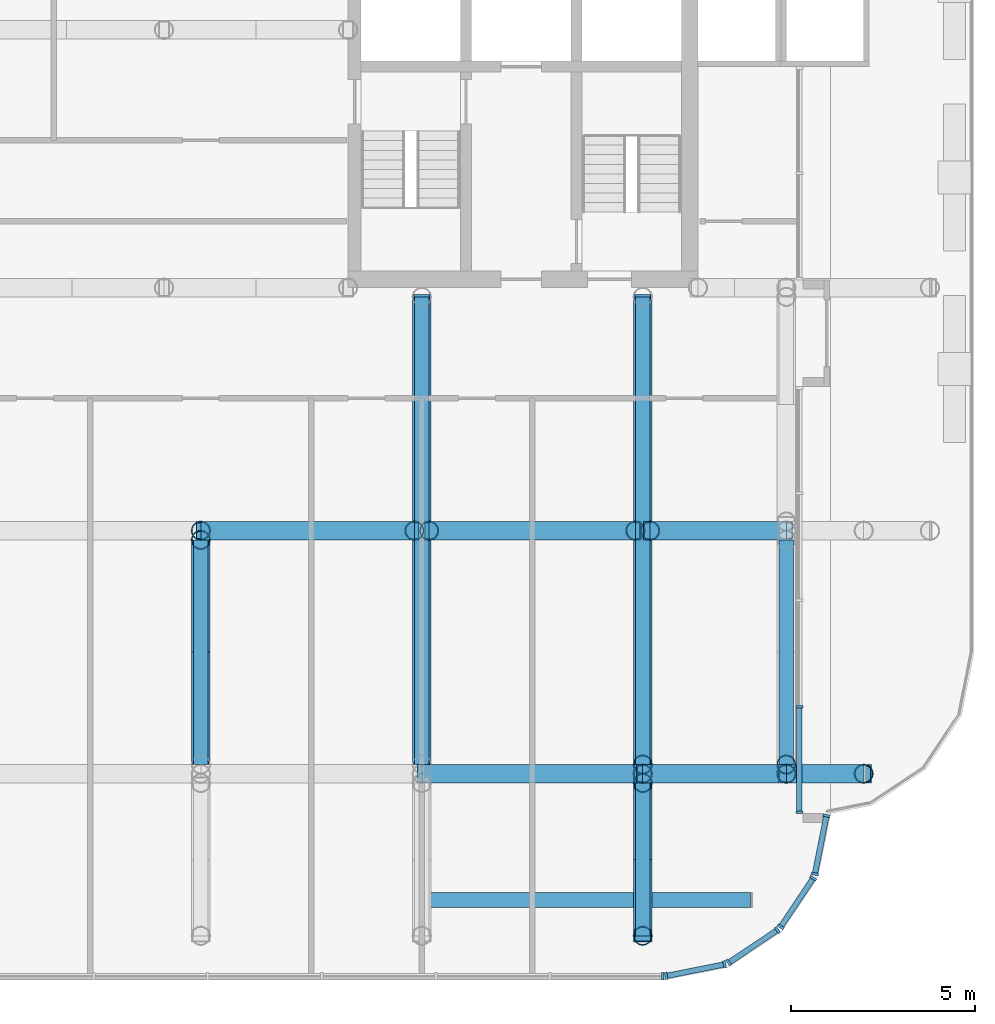
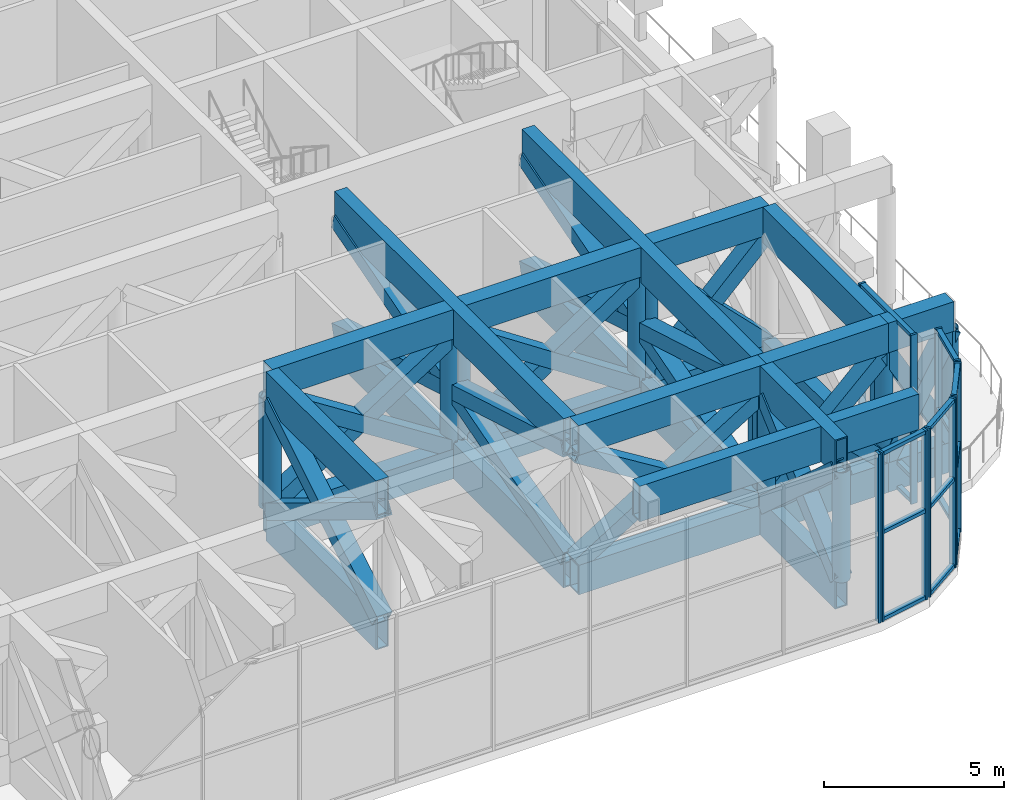
# One storey, part 5 of 21: 59 members, 23 beams, 6 elements without a shape of their own.
"""IFC4 building model written with IfcOpenShell, lengths in metres."""

from ifc_helpers import new_model, si_unit, direction, frame, origin, origin_2d, place, context, subcontext, project, spatial, rectangle, hollow_rectangle, hollow_circle, extrude, material, layer, layer_set, material_profile, profile_set, type_object, element, aggregate, save


model = new_model("IFC4")

# Units and contexts
model_context = context("Model", 3, precision=1e-05, world=origin(), true_north=direction((0.0, 1.0)))
body_context = subcontext(model_context, "Body", "Model", "MODEL_VIEW")
ifc_project = project(units=[si_unit("LENGTHUNIT", "METRE"), si_unit("AREAUNIT", "SQUARE_METRE"), si_unit("VOLUMEUNIT", "CUBIC_METRE"), si_unit("PLANEANGLEUNIT", "RADIAN"), si_unit("MASSUNIT", "GRAM", prefix="KILO")], contexts=[model_context])

# Site, building, storey
site_placement = place(None, origin())
site = spatial("IfcSite", under=ifc_project, at=site_placement, CompositionType="ELEMENT")
building_placement = place(site_placement, origin())
building = spatial("IfcBuilding", under=site, at=building_placement, Name="Torana Hotel and Residences", CompositionType="ELEMENT")
storey_placement = place(building_placement, frame((0.0, 0.0, 246.60009765625)))
storey = spatial("IfcBuildingStorey", under=building, at=storey_placement, Name="L65", CompositionType="ELEMENT", Elevation=246.60009765625)

# Curtain wall, member
ifc_material_1 = material(Name="Dark anodised aluminium", Category="aluminium")
ifc_layer = layer(ifc_material_1, 0.199951171875)
ifc_layer_set = layer_set([ifc_layer], Name="CW2 SKY LOBBY UNITISED CURTAIN WALL")
curtain_wall_type = type_object("IfcCurtainWallType", Name="CW2 SKY LOBBY UNITISED CURTAIN WALL", PredefinedType="NOTDEFINED", material=ifc_layer_set)
curtain_wall_1_placement = place(storey_placement, origin())
curtain_wall_1 = element("IfcCurtainWall", 1, at=curtain_wall_1_placement, inside=storey, type_object=curtain_wall_type, Name="Curtain wall CW2 L65 e0.9-1", PredefinedType="NOTDEFINED")
ifc_material_2 = material(Name="Dark anodised aluminium", Category="aluminium")
ifc_material_profile_1 = material_profile(ifc_material_2, rectangle(XDim=0.199951171875, YDim=0.070068359375, at=origin_2d()), Name="CW2 MULLION 70x200")
ifc_profile_set_1 = profile_set([ifc_material_profile_1], Name="Dark anodised aluminium")
member_type_1 = type_object("IfcMemberType", Name="CW2 MULLION 70x200", PredefinedType="MULLION", material=ifc_profile_set_1)
member_1_placement = place(storey_placement, frame((18.540283203125, -33.699951171875, 0.0), z_axis=(0.0, 0.0, 1.0), x_axis=(0.0, 1.0, 0.0)))
member_1 = element("IfcMember", 2, at=member_1_placement, type_object=member_type_1, Name="CW2 mullion 13", PredefinedType="MULLION", context=body_context, shape_type="SweptSolid", body=[
    extrude(rectangle(XDim=0.199951171875, YDim=0.070068359375, at=origin_2d()), origin(), (0.0, 0.0, 1.0), 5.719970703125),
])
aggregate(curtain_wall_1, [member_1])

# Curtain wall, members
curtain_wall_2_placement = place(storey_placement, origin())
curtain_wall_2 = element("IfcCurtainWall", 3, at=curtain_wall_2_placement, inside=storey, type_object=curtain_wall_type, Name="Curtain wall CW2 L65 e0.10-1", PredefinedType="NOTDEFINED")
member_2_placement = place(storey_placement, frame((18.638916015625, -33.690185546875, 0.0), z_axis=(0.0, 0.0, 1.0), x_axis=(-0.195063848566, 0.980790545928, 0.0)))
member_2 = element("IfcMember", 4, at=member_2_placement, type_object=member_type_1, Name="CW2 mullion 1", PredefinedType="MULLION", context=body_context, shape_type="SweptSolid", body=[
    extrude(rectangle(XDim=0.199951171875, YDim=0.070068359375, at=origin_2d()), origin(), (0.0, 0.0, 1.0), 5.719970703125),
])
member_3_placement = place(storey_placement, frame((20.219482421875, -33.3759765625, 0.0), z_axis=(0.0, 0.0, 1.0), x_axis=(-0.195063848566, 0.980790545928, 0.0)))
member_3 = element("IfcMember", 5, at=member_3_placement, type_object=member_type_1, Name="CW2 mullion 2", PredefinedType="MULLION", context=body_context, shape_type="SweptSolid", body=[
    extrude(rectangle(XDim=0.199951171875, YDim=0.070068359375, at=origin_2d()), origin(), (0.0, 0.0, 1.0), 5.719970703125),
])

curtain_wall_3_placement = place(storey_placement, origin())
curtain_wall_3 = element("IfcCurtainWall", 6, at=curtain_wall_3_placement, inside=storey, type_object=curtain_wall_type, Name="Curtain wall CW2 L65 e0.11-1", PredefinedType="NOTDEFINED")
member_4_placement = place(storey_placement, frame((20.3369140625, -33.3271484375, 0.0), z_axis=(0.0, 0.0, 1.0), x_axis=(-0.555563713278, 0.831473968618, 0.0)))
member_4 = element("IfcMember", 7, at=member_4_placement, type_object=member_type_1, Name="CW2 mullion 1", PredefinedType="MULLION", context=body_context, shape_type="SweptSolid", body=[
    extrude(rectangle(XDim=0.199951171875, YDim=0.070068359375, at=origin_2d()), origin(), (0.0, 0.0, 1.0), 5.719970703125),
])
member_5_placement = place(storey_placement, frame((21.656005859375, -32.446044921875, 0.0), z_axis=(0.0, 0.0, 1.0), x_axis=(-0.555563713278, 0.831473968618, 0.0)))
member_5 = element("IfcMember", 8, at=member_5_placement, type_object=member_type_1, Name="CW2 mullion 2", PredefinedType="MULLION", context=body_context, shape_type="SweptSolid", body=[
    extrude(rectangle(XDim=0.199951171875, YDim=0.070068359375, at=origin_2d()), origin(), (0.0, 0.0, 1.0), 5.719970703125),
])

curtain_wall_4_placement = place(storey_placement, origin())
curtain_wall_4 = element("IfcCurtainWall", 9, at=curtain_wall_4_placement, inside=storey, type_object=curtain_wall_type, Name="Curtain wall CW2 L65 e0.12-1", PredefinedType="NOTDEFINED")
member_6_placement = place(storey_placement, frame((21.745849609375, -32.35595703125, 0.0), z_axis=(0.0, 0.0, 1.0), x_axis=(-0.831473968618, 0.555563713278, 0.0)))
member_6 = element("IfcMember", 10, at=member_6_placement, type_object=member_type_1, Name="CW2 mullion 1", PredefinedType="MULLION", context=body_context, shape_type="SweptSolid", body=[
    extrude(rectangle(XDim=0.199951171875, YDim=0.070068359375, at=origin_2d()), origin(), (0.0, 0.0, 1.0), 5.719970703125),
])
member_7_placement = place(storey_placement, frame((22.627197265625, -31.037109375, 0.0), z_axis=(0.0, 0.0, 1.0), x_axis=(-0.831473968618, 0.555563713278, 0.0)))
member_7 = element("IfcMember", 11, at=member_7_placement, type_object=member_type_1, Name="CW2 mullion 2", PredefinedType="MULLION", context=body_context, shape_type="SweptSolid", body=[
    extrude(rectangle(XDim=0.199951171875, YDim=0.070068359375, at=origin_2d()), origin(), (0.0, 0.0, 1.0), 5.719970703125),
])

curtain_wall_5_placement = place(storey_placement, origin())
curtain_wall_5 = element("IfcCurtainWall", 12, at=curtain_wall_5_placement, inside=storey, type_object=curtain_wall_type, Name="Curtain wall CW2 L65 e0.13-1", PredefinedType="NOTDEFINED")
member_8_placement = place(storey_placement, frame((22.676025390625, -30.91943359375, 0.0), z_axis=(0.0, 0.0, 1.0), x_axis=(-0.980790545928, 0.195063848566, 0.0)))
member_8 = element("IfcMember", 13, at=member_8_placement, type_object=member_type_1, Name="CW2 mullion 1", PredefinedType="MULLION", context=body_context, shape_type="SweptSolid", body=[
    extrude(rectangle(XDim=0.199951171875, YDim=0.070068359375, at=origin_2d()), origin(), (0.0, 0.0, 1.0), 5.719970703125),
])
member_9_placement = place(storey_placement, frame((22.990234375, -29.3388671875, 0.0), z_axis=(0.0, 0.0, 1.0), x_axis=(-0.980790545928, 0.195063848566, 0.0)))
member_9 = element("IfcMember", 14, at=member_9_placement, type_object=member_type_1, Name="CW2 mullion 2", PredefinedType="MULLION", context=body_context, shape_type="SweptSolid", body=[
    extrude(rectangle(XDim=0.199951171875, YDim=0.070068359375, at=origin_2d()), origin(), (0.0, 0.0, 1.0), 5.719970703125),
])

curtain_wall_6_placement = place(storey_placement, origin())
curtain_wall_6 = element("IfcCurtainWall", 15, at=curtain_wall_6_placement, inside=storey, type_object=curtain_wall_type, Name="Curtain wall CW2 L65 e0.14-1", PredefinedType="NOTDEFINED")
member_10_placement = place(storey_placement, frame((22.2548828125, -29.240478515625, 0.0), z_axis=(0.0, 0.0, 1.0), x_axis=(-1.0, 0.0, 0.0)))
member_10 = element("IfcMember", 16, at=member_10_placement, type_object=member_type_1, Name="CW2 mullion 1", PredefinedType="MULLION", context=body_context, shape_type="SweptSolid", body=[
    extrude(rectangle(XDim=0.199951171875, YDim=0.070068359375, at=origin_2d()), origin(), (0.0, 0.0, 1.0), 5.719970703125),
])
member_11_placement = place(storey_placement, frame((22.2548828125, -26.37890625, 0.0), z_axis=(0.0, 0.0, 1.0), x_axis=(-1.0, 0.0, 0.0)))
member_11 = element("IfcMember", 17, at=member_11_placement, type_object=member_type_1, Name="CW2 mullion 2", PredefinedType="MULLION", context=body_context, shape_type="SweptSolid", body=[
    extrude(rectangle(XDim=0.199951171875, YDim=0.070068359375, at=origin_2d()), origin(), (0.0, 0.0, 1.0), 5.719970703125),
])

# Member
ifc_material_3 = material(Name="Dark anodised aluminium", Category="aluminium")
ifc_material_profile_2 = material_profile(ifc_material_3, rectangle(XDim=0.14990234375, YDim=0.1201171875, at=origin_2d()), Name="CW2 TRANSOM 150x120")
ifc_profile_set_2 = profile_set([ifc_material_profile_2], Name="Dark anodised aluminium")
member_type_2 = type_object("IfcMemberType", Name="CW2 TRANSOM 150x120", PredefinedType="USERDEFINED", material=ifc_profile_set_2)
member_12_placement = place(storey_placement, frame((18.67333984375, -33.683349609375, 0.059814453125), z_axis=(0.980805441664, 0.194988937127, 0.0), x_axis=(-0.194988937127, 0.980805441664, 0.0)))
member_12 = element("IfcMember", 18, at=member_12_placement, type_object=member_type_2, Name="CW2 transom 1.1", ObjectType="TRANSOM", PredefinedType="USERDEFINED", context=body_context, shape_type="SweptSolid", body=[
    extrude(rectangle(XDim=0.14990234375, YDim=0.1201171875, at=origin_2d()), origin(), (0.0, 0.0, 1.0), 1.541259765625),
])

member_13_placement = place(storey_placement, frame((18.67333984375, -33.683349609375, 3.0), z_axis=(0.980805441664, 0.194988937127, 0.0), x_axis=(-0.194988937127, 0.980805441664, 0.0)))
member_13 = element("IfcMember", 19, at=member_13_placement, type_object=member_type_2, Name="CW2 transom 1.2", ObjectType="TRANSOM", PredefinedType="USERDEFINED", context=body_context, shape_type="SweptSolid", body=[
    extrude(rectangle(XDim=0.14990234375, YDim=0.1201171875, at=origin_2d()), origin(), (0.0, 0.0, 1.0), 1.541259765625),
])

member_14_placement = place(storey_placement, frame((18.67333984375, -33.683349609375, 5.659912109375), z_axis=(0.980805441664, 0.194988937127, 0.0), x_axis=(-0.194988937127, 0.980805441664, 0.0)))
member_14 = element("IfcMember", 20, at=member_14_placement, type_object=member_type_2, Name="CW2 transom 1.3", ObjectType="TRANSOM", PredefinedType="USERDEFINED", context=body_context, shape_type="SweptSolid", body=[
    extrude(rectangle(XDim=0.14990234375, YDim=0.1201171875, at=origin_2d()), origin(), (0.0, 0.0, 1.0), 1.541259765625),
])

aggregate(curtain_wall_2, [member_2, member_3, member_12, member_13, member_14])

member_15_placement = place(storey_placement, frame((20.3662109375, -33.307861328125, 0.059814453125), z_axis=(0.831430525328, 0.555628726357, 0.0), x_axis=(-0.555628726357, 0.831430525328, 0.0)))
member_15 = element("IfcMember", 21, at=member_15_placement, type_object=member_type_2, Name="CW2 transom 1.1", ObjectType="TRANSOM", PredefinedType="USERDEFINED", context=body_context, shape_type="SweptSolid", body=[
    extrude(rectangle(XDim=0.14990234375, YDim=0.1201171875, at=origin_2d()), origin(), (0.0, 0.0, 1.0), 1.516357421875),
])

member_16_placement = place(storey_placement, frame((20.3662109375, -33.307861328125, 3.0), z_axis=(0.831430525328, 0.555628726357, 0.0), x_axis=(-0.555628726357, 0.831430525328, 0.0)))
member_16 = element("IfcMember", 22, at=member_16_placement, type_object=member_type_2, Name="CW2 transom 1.2", ObjectType="TRANSOM", PredefinedType="USERDEFINED", context=body_context, shape_type="SweptSolid", body=[
    extrude(rectangle(XDim=0.14990234375, YDim=0.1201171875, at=origin_2d()), origin(), (0.0, 0.0, 1.0), 1.516357421875),
])

member_17_placement = place(storey_placement, frame((20.3662109375, -33.307861328125, 5.659912109375), z_axis=(0.831430525328, 0.555628726357, 0.0), x_axis=(-0.555628726357, 0.831430525328, 0.0)))
member_17 = element("IfcMember", 23, at=member_17_placement, type_object=member_type_2, Name="CW2 transom 1.3", ObjectType="TRANSOM", PredefinedType="USERDEFINED", context=body_context, shape_type="SweptSolid", body=[
    extrude(rectangle(XDim=0.14990234375, YDim=0.1201171875, at=origin_2d()), origin(), (0.0, 0.0, 1.0), 1.516357421875),
])

aggregate(curtain_wall_3, [member_4, member_5, member_15, member_16, member_17])

member_18_placement = place(storey_placement, frame((21.765380859375, -32.326904296875, 0.059814453125), z_axis=(0.555628726357, 0.831430525328, 0.0), x_axis=(-0.831430525328, 0.555628726357, 0.0)))
member_18 = element("IfcMember", 24, at=member_18_placement, type_object=member_type_2, Name="CW2 transom 1.1", ObjectType="TRANSOM", PredefinedType="USERDEFINED", context=body_context, shape_type="SweptSolid", body=[
    extrude(rectangle(XDim=0.14990234375, YDim=0.1201171875, at=origin_2d()), origin(), (0.0, 0.0, 1.0), 1.516357421875),
])

member_19_placement = place(storey_placement, frame((21.765380859375, -32.326904296875, 3.0), z_axis=(0.555628726357, 0.831430525328, 0.0), x_axis=(-0.831430525328, 0.555628726357, 0.0)))
member_19 = element("IfcMember", 25, at=member_19_placement, type_object=member_type_2, Name="CW2 transom 1.2", ObjectType="TRANSOM", PredefinedType="USERDEFINED", context=body_context, shape_type="SweptSolid", body=[
    extrude(rectangle(XDim=0.14990234375, YDim=0.1201171875, at=origin_2d()), origin(), (0.0, 0.0, 1.0), 1.516357421875),
])

member_20_placement = place(storey_placement, frame((21.765380859375, -32.326904296875, 5.659912109375), z_axis=(0.555628726357, 0.831430525328, 0.0), x_axis=(-0.831430525328, 0.555628726357, 0.0)))
member_20 = element("IfcMember", 26, at=member_20_placement, type_object=member_type_2, Name="CW2 transom 1.3", ObjectType="TRANSOM", PredefinedType="USERDEFINED", context=body_context, shape_type="SweptSolid", body=[
    extrude(rectangle(XDim=0.14990234375, YDim=0.1201171875, at=origin_2d()), origin(), (0.0, 0.0, 1.0), 1.516357421875),
])

aggregate(curtain_wall_4, [member_6, member_7, member_18, member_19, member_20])

member_21_placement = place(storey_placement, frame((22.682861328125, -30.88525390625, 0.059814453125), z_axis=(0.194958648567, 0.980811462692, 0.0), x_axis=(-0.980811462692, 0.194958648567, 0.0)))
member_21 = element("IfcMember", 27, at=member_21_placement, type_object=member_type_2, Name="CW2 transom 1.1", ObjectType="TRANSOM", PredefinedType="USERDEFINED", context=body_context, shape_type="SweptSolid", body=[
    extrude(rectangle(XDim=0.14990234375, YDim=0.1201171875, at=origin_2d()), origin(), (0.0, 0.0, 1.0), 1.54150390625),
])

member_22_placement = place(storey_placement, frame((22.682861328125, -30.88525390625, 3.0), z_axis=(0.194958648567, 0.980811462692, 0.0), x_axis=(-0.980811462692, 0.194958648567, 0.0)))
member_22 = element("IfcMember", 28, at=member_22_placement, type_object=member_type_2, Name="CW2 transom 1.2", ObjectType="TRANSOM", PredefinedType="USERDEFINED", context=body_context, shape_type="SweptSolid", body=[
    extrude(rectangle(XDim=0.14990234375, YDim=0.1201171875, at=origin_2d()), origin(), (0.0, 0.0, 1.0), 1.54150390625),
])

member_23_placement = place(storey_placement, frame((22.682861328125, -30.88525390625, 5.659912109375), z_axis=(0.194958648567, 0.980811462692, 0.0), x_axis=(-0.980811462692, 0.194958648567, 0.0)))
member_23 = element("IfcMember", 29, at=member_23_placement, type_object=member_type_2, Name="CW2 transom 1.3", ObjectType="TRANSOM", PredefinedType="USERDEFINED", context=body_context, shape_type="SweptSolid", body=[
    extrude(rectangle(XDim=0.14990234375, YDim=0.1201171875, at=origin_2d()), origin(), (0.0, 0.0, 1.0), 1.54150390625),
])

aggregate(curtain_wall_5, [member_8, member_9, member_21, member_22, member_23])

member_24_placement = place(storey_placement, frame((22.2548828125, -29.205322265625, 0.059814453125), z_axis=(0.0, 1.0, 0.0), x_axis=(-1.0, 0.0, 0.0)))
member_24 = element("IfcMember", 30, at=member_24_placement, type_object=member_type_2, Name="CW2 transom 1.1", ObjectType="TRANSOM", PredefinedType="USERDEFINED", context=body_context, shape_type="SweptSolid", body=[
    extrude(rectangle(XDim=0.14990234375, YDim=0.1201171875, at=origin_2d()), origin(), (0.0, 0.0, 1.0), 2.79150390625),
])

member_25_placement = place(storey_placement, frame((22.2548828125, -29.205322265625, 0.89990234375), z_axis=(0.0, 1.0, 0.0), x_axis=(-1.0, 0.0, 0.0)))
member_25 = element("IfcMember", 31, at=member_25_placement, type_object=member_type_2, Name="CW2 transom 1.2", ObjectType="TRANSOM", PredefinedType="USERDEFINED", context=body_context, shape_type="SweptSolid", body=[
    extrude(rectangle(XDim=0.14990234375, YDim=0.1201171875, at=origin_2d()), origin(), (0.0, 0.0, 1.0), 2.79150390625),
])

member_26_placement = place(storey_placement, frame((22.2548828125, -29.205322265625, 5.659912109375), z_axis=(0.0, 1.0, 0.0), x_axis=(-1.0, 0.0, 0.0)))
member_26 = element("IfcMember", 32, at=member_26_placement, type_object=member_type_2, Name="CW2 transom 1.3", ObjectType="TRANSOM", PredefinedType="USERDEFINED", context=body_context, shape_type="SweptSolid", body=[
    extrude(rectangle(XDim=0.14990234375, YDim=0.1201171875, at=origin_2d()), origin(), (0.0, 0.0, 1.0), 2.79150390625),
])

aggregate(curtain_wall_6, [member_10, member_11, member_24, member_25, member_26])

# Beams
ifc_material_4 = material(Name="Steel S355", Category="steel")
ifc_material_profile_3 = material_profile(ifc_material_4, hollow_rectangle(XDim=0.5, YDim=1.0, WallThickness=0.050048828125, at=origin_2d()), Name="BOX 1000x500x50")
ifc_profile_set_3 = profile_set([ifc_material_profile_3], Name="Steel S355")
beam_type_1 = type_object("IfcBeamType", Name="STEEL CHORD BOX 1000x500x50", PredefinedType="BEAM", material=ifc_profile_set_3)
for number, where, z_axis, x_axis, name in (
    (33, (12.0, -28.199951171875, 0.5), (1.0, 0.0, 0.0), (0.0, 1.0, 0.0), "Transfer chord L65"),
    (34, (12.0, -28.199951171875, 5.219970703125), (1.0, 0.0, 0.0), (0.0, 1.0, 0.0), "Transfer chord L65"),
):
    element("IfcBeam", number, at=place(storey_placement, frame(where, z_axis=z_axis, x_axis=x_axis)), inside=storey, type_object=beam_type_1, Name=name, PredefinedType="BEAM", context=body_context, shape_type="SweptSolid", body=[
        extrude(hollow_rectangle(XDim=0.5, YDim=1.0, WallThickness=0.050048828125, at=origin_2d()), origin(), (0.0, 0.0, 1.0), 6.0),
    ])
for number, where, z_axis, x_axis, name in (
    (35, (18.0, -28.199951171875, 0.5), (1.0, 0.0, 0.0), (0.0, 1.0, 0.0), "Transfer chord L65"),
    (36, (18.0, -28.199951171875, 5.219970703125), (1.0, 0.0, 0.0), (0.0, 1.0, 0.0), "Transfer chord L65"),
):
    element("IfcBeam", number, at=place(storey_placement, frame(where, z_axis=z_axis, x_axis=x_axis)), inside=storey, type_object=beam_type_1, Name=name, PredefinedType="BEAM", context=body_context, shape_type="SweptSolid", body=[
        extrude(hollow_rectangle(XDim=0.5, YDim=1.0, WallThickness=0.050048828125, at=origin_2d()), origin(), (0.0, 0.0, 1.0), 3.89990234375),
    ])
for number, where, z_axis, x_axis, name in (
    (37, (21.89990234375, -28.199951171875, 0.5), (1.0, 0.0, 0.0), (0.0, 1.0, 0.0), "Transfer chord L65"),
    (38, (21.89990234375, -28.199951171875, 5.219970703125), (1.0, 0.0, 0.0), (0.0, 1.0, 0.0), "Transfer chord L65"),
):
    element("IfcBeam", number, at=place(storey_placement, frame(where, z_axis=z_axis, x_axis=x_axis)), inside=storey, type_object=beam_type_1, Name=name, PredefinedType="BEAM", context=body_context, shape_type="SweptSolid", body=[
        extrude(hollow_rectangle(XDim=0.5, YDim=1.0, WallThickness=0.050048828125, at=origin_2d()), origin(), (0.0, 0.0, 1.0), 2.10009765625),
    ])
for number, where, z_axis, x_axis, name in (
    (39, (6.0, -21.60009765625, 0.5), (1.0, 0.0, 0.0), (0.0, 1.0, 0.0), "Transfer chord L65"),
    (40, (6.0, -21.60009765625, 5.219970703125), (1.0, 0.0, 0.0), (0.0, 1.0, 0.0), "Transfer chord L65"),
):
    element("IfcBeam", number, at=place(storey_placement, frame(where, z_axis=z_axis, x_axis=x_axis)), inside=storey, type_object=beam_type_1, Name=name, PredefinedType="BEAM", context=body_context, shape_type="SweptSolid", body=[
        extrude(hollow_rectangle(XDim=0.5, YDim=1.0, WallThickness=0.050048828125, at=origin_2d()), origin(), (0.0, 0.0, 1.0), 5.800048828125),
    ])
for number, where, z_axis, x_axis, name in (
    (41, (12.199951171875, -21.60009765625, 0.5), (1.0, 0.0, 0.0), (0.0, 1.0, 0.0), "Transfer chord L65"),
    (42, (12.199951171875, -21.60009765625, 5.219970703125), (1.0, 0.0, 0.0), (0.0, 1.0, 0.0), "Transfer chord L65"),
):
    element("IfcBeam", number, at=place(storey_placement, frame(where, z_axis=z_axis, x_axis=x_axis)), inside=storey, type_object=beam_type_1, Name=name, PredefinedType="BEAM", context=body_context, shape_type="SweptSolid", body=[
        extrude(hollow_rectangle(XDim=0.5, YDim=1.0, WallThickness=0.050048828125, at=origin_2d()), origin(), (0.0, 0.0, 1.0), 5.60009765625),
    ])
for number, where, z_axis, x_axis, name in (
    (43, (18.199951171875, -21.60009765625, 0.5), (1.0, 0.0, 0.0), (0.0, 1.0, 0.0), "Transfer chord L65"),
    (44, (18.199951171875, -21.60009765625, 5.219970703125), (1.0, 0.0, 0.0), (0.0, 1.0, 0.0), "Transfer chord L65"),
):
    element("IfcBeam", number, at=place(storey_placement, frame(where, z_axis=z_axis, x_axis=x_axis)), inside=storey, type_object=beam_type_1, Name=name, PredefinedType="BEAM", context=body_context, shape_type="SweptSolid", body=[
        extrude(hollow_rectangle(XDim=0.5, YDim=1.0, WallThickness=0.050048828125, at=origin_2d()), origin(), (0.0, 0.0, 1.0), 3.699951171875),
    ])
ifc_material_5 = material(Name="Steel S355", Category="steel")
ifc_material_profile_4 = material_profile(ifc_material_5, hollow_rectangle(XDim=0.39990234375, YDim=1.199951171875, WallThickness=0.0400390625, at=origin_2d()), Name="BOX 1200x400x40")
ifc_profile_set_4 = profile_set([ifc_material_profile_4], Name="Steel S355")
beam_type_2 = type_object("IfcBeamType", Name="STEEL CHORD BOX 1200x400x40", PredefinedType="BEAM", material=ifc_profile_set_4)
for number, where, z_axis, x_axis, name in (
    (45, (6.0, -27.949951171875, 0.599853515625), (0.0, 1.0, 0.0), (-1.0, 0.0, 0.0), "Transfer chord L65"),
    (46, (6.0, -27.949951171875, 5.119873046875), (0.0, 1.0, 0.0), (-1.0, 0.0, 0.0), "Transfer chord L65"),
):
    element("IfcBeam", number, at=place(storey_placement, frame(where, z_axis=z_axis, x_axis=x_axis)), inside=storey, type_object=beam_type_2, Name=name, PredefinedType="BEAM", context=body_context, shape_type="SweptSolid", body=[
        extrude(hollow_rectangle(XDim=0.39990234375, YDim=1.199951171875, WallThickness=0.0400390625, at=origin_2d()), origin(), (0.0, 0.0, 1.0), 6.099853515625),
    ])
for number, where, z_axis, x_axis, name in (
    (47, (12.0, -27.949951171875, 0.599853515625), (0.0, 1.0, 0.0), (-1.0, 0.0, 0.0), "Transfer chord L65"),
    (48, (12.0, -27.949951171875, 5.119873046875), (0.0, 1.0, 0.0), (-1.0, 0.0, 0.0), "Transfer chord L65"),
):
    element("IfcBeam", number, at=place(storey_placement, frame(where, z_axis=z_axis, x_axis=x_axis)), inside=storey, type_object=beam_type_2, Name=name, PredefinedType="BEAM", context=body_context, shape_type="SweptSolid", body=[
        extrude(hollow_rectangle(XDim=0.39990234375, YDim=1.199951171875, WallThickness=0.0400390625, at=origin_2d()), origin(), (0.0, 0.0, 1.0), 12.699951171875),
    ])
for number, where, z_axis, x_axis, name in (
    (49, (18.0, -32.60009765625, 0.599853515625), (0.0, 1.0, 0.0), (-1.0, 0.0, 0.0), "Transfer chord L65"),
    (50, (18.0, -32.60009765625, 5.119873046875), (0.0, 1.0, 0.0), (-1.0, 0.0, 0.0), "Transfer chord L65"),
):
    element("IfcBeam", number, at=place(storey_placement, frame(where, z_axis=z_axis, x_axis=x_axis)), inside=storey, type_object=beam_type_2, Name=name, PredefinedType="BEAM", context=body_context, shape_type="SweptSolid", body=[
        extrude(hollow_rectangle(XDim=0.39990234375, YDim=1.199951171875, WallThickness=0.0400390625, at=origin_2d()), origin(), (0.0, 0.0, 1.0), 4.150146484375),
    ])
for number, where, z_axis, x_axis, name in (
    (51, (18.0, -27.949951171875, 0.599853515625), (0.0, 1.0, 0.0), (-1.0, 0.0, 0.0), "Transfer chord L65"),
    (52, (18.0, -27.949951171875, 5.119873046875), (0.0, 1.0, 0.0), (-1.0, 0.0, 0.0), "Transfer chord L65"),
):
    element("IfcBeam", number, at=place(storey_placement, frame(where, z_axis=z_axis, x_axis=x_axis)), inside=storey, type_object=beam_type_2, Name=name, PredefinedType="BEAM", context=body_context, shape_type="SweptSolid", body=[
        extrude(hollow_rectangle(XDim=0.39990234375, YDim=1.199951171875, WallThickness=0.0400390625, at=origin_2d()), origin(), (0.0, 0.0, 1.0), 12.699951171875),
    ])
for number, where, z_axis, x_axis, name in (
    (53, (21.89990234375, -27.949951171875, 0.599853515625), (0.0, 1.0, 0.0), (-1.0, 0.0, 0.0), "Transfer chord L65"),
    (54, (21.89990234375, -27.949951171875, 5.119873046875), (0.0, 1.0, 0.0), (-1.0, 0.0, 0.0), "Transfer chord L65"),
):
    element("IfcBeam", number, at=place(storey_placement, frame(where, z_axis=z_axis, x_axis=x_axis)), inside=storey, type_object=beam_type_2, Name=name, PredefinedType="BEAM", context=body_context, shape_type="SweptSolid", body=[
        extrude(hollow_rectangle(XDim=0.39990234375, YDim=1.199951171875, WallThickness=0.0400390625, at=origin_2d()), origin(), (0.0, 0.0, 1.0), 6.099853515625),
    ])
beam_placement = place(storey_placement, frame((20.929931640625, -31.6298828125, 5.119873046875), z_axis=(-1.0, 0.0, 0.0), x_axis=(0.0, -1.0, 0.0)))
element("IfcBeam", 55, at=beam_placement, inside=storey, type_object=beam_type_2, Name="Transfer link L65", PredefinedType="BEAM", context=body_context, shape_type="SweptSolid", body=[
    extrude(hollow_rectangle(XDim=0.39990234375, YDim=1.199951171875, WallThickness=0.0400390625, at=origin_2d()), origin(), (0.0, 0.0, 1.0), 8.929931640625),
])

# Members
ifc_material_6 = material(Name="Steel S355", Category="steel")
ifc_material_profile_5 = material_profile(ifc_material_6, hollow_rectangle(XDim=0.5, YDim=0.5, WallThickness=0.0400390625, at=origin_2d()), Name="BOX 500x500x40")
ifc_profile_set_5 = profile_set([ifc_material_profile_5], Name="Steel S355")
member_type_3 = type_object("IfcMemberType", Name="STEEL DIAGONAL BOX 500x500x40", PredefinedType="BRACE", material=ifc_profile_set_5)
for number, where, z_axis, x_axis, name in (
    (56, (12.0, -28.199951171875, 1.0), (0.84990455024, 0.0, 0.526936671224), (0.0, 1.0, 0.0), "Truss diagonal L65"),
    (57, (18.0, -28.199951171875, 1.0), (-0.84990455024, 0.0, 0.526936671224), (0.0, -1.0, 0.0), "Truss diagonal L65"),
):
    element("IfcMember", number, at=place(storey_placement, frame(where, z_axis=z_axis, x_axis=x_axis)), inside=storey, type_object=member_type_3, Name=name, PredefinedType="BRACE", context=body_context, shape_type="SweptSolid", body=[
        extrude(hollow_rectangle(XDim=0.5, YDim=0.5, WallThickness=0.0400390625, at=origin_2d()), origin(), (0.0, 0.0, 1.0), 7.0595703125),
    ])
for number, where, z_axis, x_axis, name in (
    (58, (18.0, -28.199951171875, 1.0), (0.72360231493, 0.0, 0.690217132377), (0.0, 1.0, 0.0), "Truss diagonal L65"),
    (59, (21.89990234375, -28.199951171875, 1.0), (-0.72360231493, 0.0, 0.690217132377), (0.0, -1.0, 0.0), "Truss diagonal L65"),
):
    element("IfcMember", number, at=place(storey_placement, frame(where, z_axis=z_axis, x_axis=x_axis)), inside=storey, type_object=member_type_3, Name=name, PredefinedType="BRACE", context=body_context, shape_type="SweptSolid", body=[
        extrude(hollow_rectangle(XDim=0.5, YDim=0.5, WallThickness=0.0400390625, at=origin_2d()), origin(), (0.0, 0.0, 1.0), 5.3896484375),
    ])
for number, where, z_axis, x_axis, name in (
    (60, (21.89990234375, -28.199951171875, 1.0), (0.491614639726, 0.0, 0.87081286509), (0.0, 1.0, 0.0), "Truss diagonal L65"),
    (61, (24.0, -28.199951171875, 1.0), (-0.491614639726, 0.0, 0.87081286509), (0.0, -1.0, 0.0), "Truss diagonal L65"),
):
    element("IfcMember", number, at=place(storey_placement, frame(where, z_axis=z_axis, x_axis=x_axis)), inside=storey, type_object=member_type_3, Name=name, PredefinedType="BRACE", context=body_context, shape_type="SweptSolid", body=[
        extrude(hollow_rectangle(XDim=0.5, YDim=0.5, WallThickness=0.0400390625, at=origin_2d()), origin(), (0.0, 0.0, 1.0), 4.271728515625),
    ])
for number, where, z_axis, x_axis, name in (
    (62, (6.0, -21.60009765625, 1.0), (0.841747855443, 0.0, 0.539870862204), (0.0, 1.0, 0.0), "Truss diagonal L65"),
    (63, (11.800048828125, -21.60009765625, 1.0), (-0.841747855443, 0.0, 0.539870862204), (0.0, -1.0, 0.0), "Truss diagonal L65"),
):
    element("IfcMember", number, at=place(storey_placement, frame(where, z_axis=z_axis, x_axis=x_axis)), inside=storey, type_object=member_type_3, Name=name, PredefinedType="BRACE", context=body_context, shape_type="SweptSolid", body=[
        extrude(hollow_rectangle(XDim=0.5, YDim=0.5, WallThickness=0.0400390625, at=origin_2d()), origin(), (0.0, 0.0, 1.0), 6.890380859375),
    ])
for number, where, z_axis, x_axis, name in (
    (64, (12.199951171875, -21.60009765625, 1.0), (0.832970962809, 0.0, 0.553316704173), (0.0, 1.0, 0.0), "Truss diagonal L65"),
    (65, (17.800048828125, -21.60009765625, 1.0), (-0.832970962809, 0.0, 0.553316704173), (0.0, -1.0, 0.0), "Truss diagonal L65"),
):
    element("IfcMember", number, at=place(storey_placement, frame(where, z_axis=z_axis, x_axis=x_axis)), inside=storey, type_object=member_type_3, Name=name, PredefinedType="BRACE", context=body_context, shape_type="SweptSolid", body=[
        extrude(hollow_rectangle(XDim=0.5, YDim=0.5, WallThickness=0.0400390625, at=origin_2d()), origin(), (0.0, 0.0, 1.0), 6.72314453125),
    ])
for number, where, z_axis, x_axis, name in (
    (66, (18.199951171875, -21.60009765625, 1.0), (0.705196384846, 0.0, 0.709012030082), (0.0, 1.0, 0.0), "Truss diagonal L65"),
    (67, (21.89990234375, -21.60009765625, 1.0), (-0.705196384846, 0.0, 0.709012030082), (0.0, -1.0, 0.0), "Truss diagonal L65"),
):
    element("IfcMember", number, at=place(storey_placement, frame(where, z_axis=z_axis, x_axis=x_axis)), inside=storey, type_object=member_type_3, Name=name, PredefinedType="BRACE", context=body_context, shape_type="SweptSolid", body=[
        extrude(hollow_rectangle(XDim=0.5, YDim=0.5, WallThickness=0.0400390625, at=origin_2d()), origin(), (0.0, 0.0, 1.0), 5.24658203125),
    ])
for number, where, z_axis, x_axis, name in (
    (68, (6.0, -27.949951171875, 1.0), (0.0, 0.853762091888, 0.520663317755), (-1.0, 0.0, 0.0), "Truss diagonal L65"),
    (69, (6.0, -21.85009765625, 1.0), (0.0, -0.853762091888, 0.520663317755), (1.0, 0.0, 0.0), "Truss diagonal L65"),
):
    element("IfcMember", number, at=place(storey_placement, frame(where, z_axis=z_axis, x_axis=x_axis)), inside=storey, type_object=member_type_3, Name=name, PredefinedType="BRACE", context=body_context, shape_type="SweptSolid", body=[
        extrude(hollow_rectangle(XDim=0.5, YDim=0.5, WallThickness=0.0400390625, at=origin_2d()), origin(), (0.0, 0.0, 1.0), 7.144775390625),
    ])
for number, where, z_axis, x_axis, name in (
    (70, (12.0, -27.949951171875, 1.0), (0.0, 0.95967806702, 0.281101418851), (-1.0, 0.0, 0.0), "Truss diagonal L65"),
    (71, (12.0, -15.25, 1.0), (0.0, -0.95967806702, 0.281101418851), (1.0, 0.0, 0.0), "Truss diagonal L65"),
):
    element("IfcMember", number, at=place(storey_placement, frame(where, z_axis=z_axis, x_axis=x_axis)), inside=storey, type_object=member_type_3, Name=name, PredefinedType="BRACE", context=body_context, shape_type="SweptSolid", body=[
        extrude(hollow_rectangle(XDim=0.5, YDim=0.5, WallThickness=0.0400390625, at=origin_2d()), origin(), (0.0, 0.0, 1.0), 13.233642578125),
    ])
for number, where, z_axis, x_axis, name in (
    (72, (18.0, -32.60009765625, 1.0), (0.0, 0.74464526482, 0.66746043297), (-1.0, 0.0, 0.0), "Truss diagonal L65"),
    (73, (18.0, -28.449951171875, 1.0), (0.0, -0.74464526482, 0.66746043297), (1.0, 0.0, 0.0), "Truss diagonal L65"),
):
    element("IfcMember", number, at=place(storey_placement, frame(where, z_axis=z_axis, x_axis=x_axis)), inside=storey, type_object=member_type_3, Name=name, PredefinedType="BRACE", context=body_context, shape_type="SweptSolid", body=[
        extrude(hollow_rectangle(XDim=0.5, YDim=0.5, WallThickness=0.0400390625, at=origin_2d()), origin(), (0.0, 0.0, 1.0), 5.5732421875),
    ])
for number, where, z_axis, x_axis, name in (
    (74, (18.0, -27.949951171875, 1.0), (0.0, 0.95967806702, 0.281101418851), (-1.0, 0.0, 0.0), "Truss diagonal L65"),
    (75, (18.0, -15.25, 1.0), (0.0, -0.95967806702, 0.281101418851), (1.0, 0.0, 0.0), "Truss diagonal L65"),
):
    element("IfcMember", number, at=place(storey_placement, frame(where, z_axis=z_axis, x_axis=x_axis)), inside=storey, type_object=member_type_3, Name=name, PredefinedType="BRACE", context=body_context, shape_type="SweptSolid", body=[
        extrude(hollow_rectangle(XDim=0.5, YDim=0.5, WallThickness=0.0400390625, at=origin_2d()), origin(), (0.0, 0.0, 1.0), 13.233642578125),
    ])
ifc_material_7 = material(Name="Steel S355", Category="steel")
ifc_material_profile_6 = material_profile(ifc_material_7, hollow_circle(Radius=0.25390625, WallThickness=0.01611328125, at=origin_2d()), Name="508x16 CHS")
ifc_profile_set_6 = profile_set([ifc_material_profile_6], Name="Steel S355")
member_type_4 = type_object("IfcMemberType", Name="STEEL POST 508x16 CHS", PredefinedType="POST", material=ifc_profile_set_6)
for number, where, z_axis, x_axis, name in (
    (76, (18.0, -28.199951171875, 1.0), (0.0, 0.0, 1.0), (1.0, 0.0, 0.0), "Truss post L65"),
    (77, (21.89990234375, -28.199951171875, 1.0), (0.0, 0.0, 1.0), (1.0, 0.0, 0.0), "Truss post L65"),
    (78, (24.0, -28.199951171875, 1.0), (0.0, 0.0, 1.0), (1.0, 0.0, 0.0), "Truss post L65"),
    (79, (6.0, -21.60009765625, 1.0), (0.0, 0.0, 1.0), (1.0, 0.0, 0.0), "Truss post L65"),
    (80, (11.800048828125, -21.60009765625, 1.0), (0.0, 0.0, 1.0), (1.0, 0.0, 0.0), "Truss post L65"),
    (81, (12.199951171875, -21.60009765625, 1.0), (0.0, 0.0, 1.0), (1.0, 0.0, 0.0), "Truss post L65"),
    (82, (17.800048828125, -21.60009765625, 1.0), (0.0, 0.0, 1.0), (1.0, 0.0, 0.0), "Truss post L65"),
    (83, (18.199951171875, -21.60009765625, 1.0), (0.0, 0.0, 1.0), (1.0, 0.0, 0.0), "Truss post L65"),
    (84, (6.0, -21.85009765625, 1.0), (0.0, 0.0, 1.0), (1.0, 0.0, 0.0), "Truss post L65"),
    (85, (18.0, -32.60009765625, 1.0), (0.0, 0.0, 1.0), (1.0, 0.0, 0.0), "Truss post L65"),
    (86, (18.0, -28.449951171875, 1.0), (0.0, 0.0, 1.0), (1.0, 0.0, 0.0), "Truss post L65"),
    (87, (18.0, -27.949951171875, 1.0), (0.0, 0.0, 1.0), (1.0, 0.0, 0.0), "Truss post L65"),
    (88, (21.89990234375, -27.949951171875, 1.0), (0.0, 0.0, 1.0), (1.0, 0.0, 0.0), "Truss post L65"),
):
    element("IfcMember", number, at=place(storey_placement, frame(where, z_axis=z_axis, x_axis=x_axis)), inside=storey, type_object=member_type_4, Name=name, PredefinedType="POST", context=body_context, shape_type="SweptSolid", body=[
        extrude(hollow_circle(Radius=0.25390625, WallThickness=0.01611328125, at=origin_2d()), origin(), (0.0, 0.0, 1.0), 3.719970703125),
    ])

save(model, "model.ifc")
